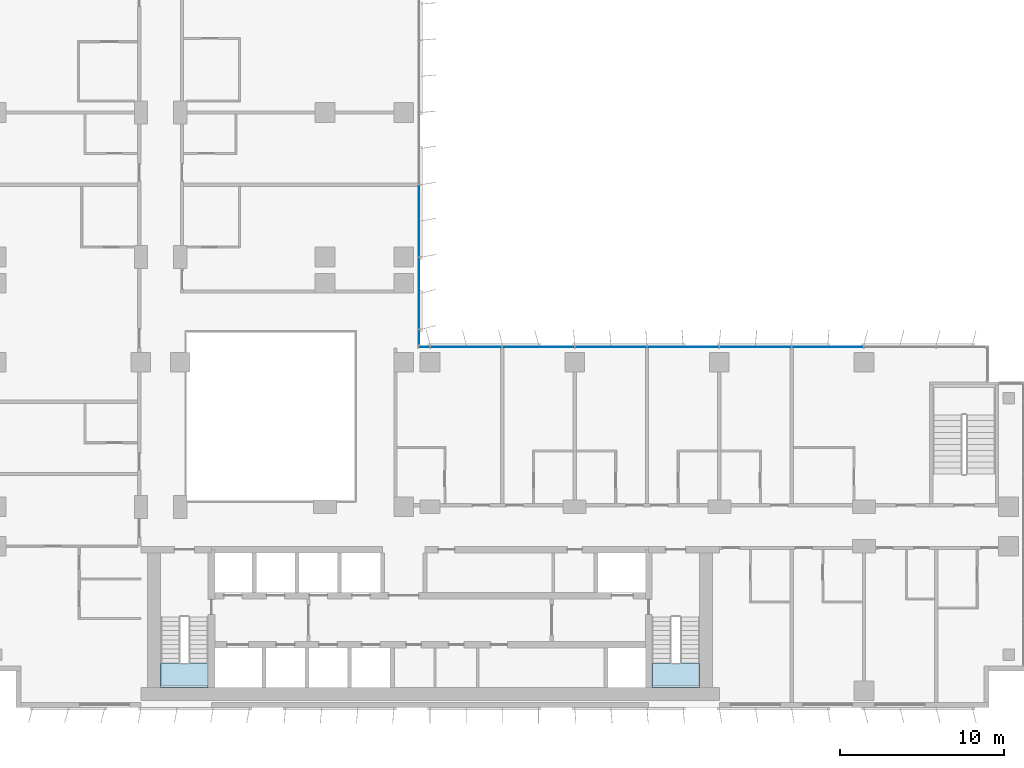
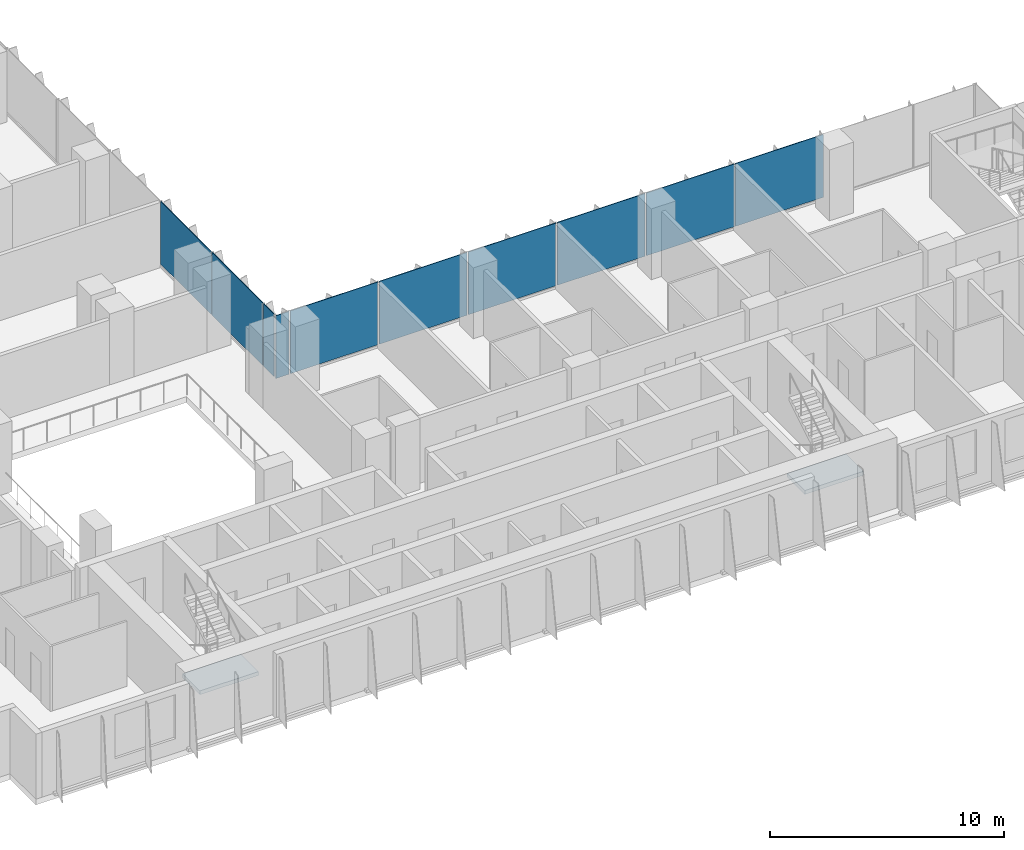
# One storey, part 10 of 23: 10 plates, 2 slabs, 4 elements without a shape of their own.
"""IFC4 building model written with IfcOpenShell, lengths in metres."""

from ifc_helpers import new_model, si_unit, direction, frame, origin, origin_2d, place, context, subcontext, project, spatial, polyline, rectangle, outline, extrude, source, transform, mapped, material, layer, layer_set, type_object, element, aggregate, save


model = new_model("IFC4")

# Units and contexts
model_context = context("Model", 3, precision=1e-05, world=origin(), true_north=direction((0.0, 1.0)))
body_context = subcontext(model_context, "Body", "Model", "MODEL_VIEW")
ifc_project = project(units=[si_unit("LENGTHUNIT", "METRE"), si_unit("AREAUNIT", "SQUARE_METRE"), si_unit("VOLUMEUNIT", "CUBIC_METRE"), si_unit("PLANEANGLEUNIT", "RADIAN"), si_unit("MASSUNIT", "GRAM", prefix="KILO")], contexts=[model_context])

# Site, building, storey
site_placement = place(None, origin())
site = spatial("IfcSite", under=ifc_project, at=site_placement, CompositionType="ELEMENT")
building_placement = place(site_placement, origin())
building = spatial("IfcBuilding", under=site, at=building_placement, Name="Kemantara Hotel Tower", CompositionType="ELEMENT")
storey_placement = place(building_placement, frame((0.0, 0.0, 118.5)))
storey = spatial("IfcBuildingStorey", under=building, at=storey_placement, Name="L28", CompositionType="ELEMENT", Elevation=118.5)

# Stair, slab
ifc_material_1 = material(Name="Concrete fc 40 MPa", Category="concrete")
stair_type = type_object("IfcStairType", Name="Stair 1200 wide 22 risers of 168 x 280 mm", PredefinedType="HALF_TURN_STAIR", material=ifc_material_1)
stair_1_placement = place(storey_placement, origin())
stair_1 = element("IfcStair", 1, at=stair_1_placement, inside=storey, type_object=stair_type, Name="L28 Exit stair ST1", PredefinedType="HALF_TURN_STAIR")
ifc_layer_1 = layer(ifc_material_1, 0.199951171875)
ifc_layer_set_1 = layer_set([ifc_layer_1], Name="Concrete fc 40 MPa")
slab_type = type_object("IfcSlabType", Name="Stair landing 200 mm", PredefinedType="LANDING", material=ifc_layer_set_1)
slab_1_placement = place(storey_placement, frame((0.0, 0.0, 1.64990234375)))
slab_1 = element("IfcSlab", 2, at=slab_1_placement, type_object=slab_type, Name="ST1 landing 1", PredefinedType="LANDING", context=body_context, shape_type="SweptSolid", body=[
    extrude(outline(polyline([(11.0, 2.699951171875), (11.0, 1.199951171875), (13.89990234375, 1.199951171875), (13.89990234375, 2.699951171875), (11.0, 2.699951171875)])), origin(), (0.0, 0.0, 1.0), 0.2001953125),
])
aggregate(stair_1, [slab_1])

stair_2_placement = place(storey_placement, origin())
stair_2 = element("IfcStair", 3, at=stair_2_placement, inside=storey, type_object=stair_type, Name="L28 Exit stair ST2", PredefinedType="HALF_TURN_STAIR")
slab_2_placement = place(storey_placement, frame((0.0, 0.0, 1.64990234375)))
slab_2 = element("IfcSlab", 4, at=slab_2_placement, type_object=slab_type, Name="ST2 landing 1", PredefinedType="LANDING", context=body_context, shape_type="SweptSolid", body=[
    extrude(outline(polyline([(40.89990234375, 2.699951171875), (40.89990234375, 1.199951171875), (43.800048828125, 1.199951171875), (43.800048828125, 2.699951171875), (40.89990234375, 2.699951171875)])), origin(), (0.0, 0.0, 1.0), 0.2001953125),
])
aggregate(stair_2, [slab_2])

# Curtain wall, plates
ifc_material_2 = material(Name="Low-E tinted double insulated glass 36 mm", Category="glass")
curtain_wall_type = type_object("IfcCurtainWallType", Name="TOWER CURTAIN WALL, FRONT FACES", PredefinedType="USERDEFINED", material=ifc_material_2)
curtain_wall_1_placement = place(storey_placement, origin())
curtain_wall_1 = element("IfcCurtainWall", 5, at=curtain_wall_1_placement, inside=storey, type_object=curtain_wall_type, Name="CW4 L28 T2-R13-1", ObjectType="TOWER CURTAIN WALL, FRONT FACES", PredefinedType="USERDEFINED")
ifc_layer_2 = layer(ifc_material_2, 0.035888671875)
ifc_layer_set_2 = layer_set([ifc_layer_2], Name="Low-E tinted double insulated glass 36 mm")
plate_type = type_object("IfcPlateType", Name="TOWER CURTAIN WALL, FRONT FACES PANEL", PredefinedType="CURTAIN_PANEL", material=ifc_layer_set_2)
shared_shape_1 = source(origin(), body_context, "Body", "SweptSolid", [
    extrude(rectangle(XDim=4.340087890625, YDim=0.035888671875, at=origin_2d()), origin(), (0.0, 0.0, 1.0), 3.280029296875),
])
plate_1_placement = place(storey_placement, frame((51.60009765625, 21.925048828125, 0.1201171875), z_axis=(0.0, 0.0, 1.0), x_axis=(-1.0, 0.0, 0.0)))
plate_1 = element("IfcPlate", 6, at=plate_1_placement, type_object=plate_type, Name="CW4 glass panel T2-R13-1.3", PredefinedType="CURTAIN_PANEL", context=body_context, shape_type="MappedRepresentation", body=[
    mapped(shared_shape_1, transform((0.0, 0.0, 0.0))),
])
plate_2_placement = place(storey_placement, frame((47.199951171875, 21.925048828125, 0.1201171875), z_axis=(0.0, 0.0, 1.0), x_axis=(-1.0, 0.0, 0.0)))
plate_2 = element("IfcPlate", 7, at=plate_2_placement, type_object=plate_type, Name="CW4 glass panel T2-R13-1.4", PredefinedType="CURTAIN_PANEL", context=body_context, shape_type="MappedRepresentation", body=[
    mapped(shared_shape_1, transform((0.0, 0.0, 0.0))),
])
plate_3_placement = place(storey_placement, frame((42.800048828125, 21.925048828125, 0.1201171875), z_axis=(0.0, 0.0, 1.0), x_axis=(-1.0, 0.0, 0.0)))
plate_3 = element("IfcPlate", 8, at=plate_3_placement, type_object=plate_type, Name="CW4 glass panel T2-R13-1.5", PredefinedType="CURTAIN_PANEL", context=body_context, shape_type="MappedRepresentation", body=[
    mapped(shared_shape_1, transform((0.0, 0.0, 0.0))),
])
plate_4_placement = place(storey_placement, frame((38.39990234375, 21.925048828125, 0.1201171875), z_axis=(0.0, 0.0, 1.0), x_axis=(-1.0, 0.0, 0.0)))
plate_4 = element("IfcPlate", 9, at=plate_4_placement, type_object=plate_type, Name="CW4 glass panel T2-R13-1.6", PredefinedType="CURTAIN_PANEL", context=body_context, shape_type="MappedRepresentation", body=[
    mapped(shared_shape_1, transform((0.0, 0.0, 0.0))),
])
plate_5_placement = place(storey_placement, frame((34.0, 21.925048828125, 0.1201171875), z_axis=(0.0, 0.0, 1.0), x_axis=(-1.0, 0.0, 0.0)))
plate_5 = element("IfcPlate", 10, at=plate_5_placement, type_object=plate_type, Name="CW4 glass panel T2-R13-1.7", PredefinedType="CURTAIN_PANEL", context=body_context, shape_type="MappedRepresentation", body=[
    mapped(shared_shape_1, transform((0.0, 0.0, 0.0))),
])
plate_6_placement = place(storey_placement, frame((29.60009765625, 21.925048828125, 0.1201171875), z_axis=(0.0, 0.0, 1.0), x_axis=(-1.0, 0.0, 0.0)))
plate_6 = element("IfcPlate", 11, at=plate_6_placement, type_object=plate_type, Name="CW4 glass panel T2-R13-1.8", PredefinedType="CURTAIN_PANEL", context=body_context, shape_type="MappedRepresentation", body=[
    mapped(shared_shape_1, transform((0.0, 0.0, 0.0))),
])

curtain_wall_2_placement = place(storey_placement, origin())
curtain_wall_2 = element("IfcCurtainWall", 12, at=curtain_wall_2_placement, inside=storey, type_object=curtain_wall_type, Name="CW4 L28 T2-R14-1", ObjectType="TOWER CURTAIN WALL, FRONT FACES", PredefinedType="USERDEFINED")
plate_7_placement = place(storey_placement, frame((26.72509765625, 25.199951171875, 0.1201171875), z_axis=(0.0, 0.0, 1.0), x_axis=(0.0, 1.0, 0.0)))
plate_7 = element("IfcPlate", 13, at=plate_7_placement, type_object=plate_type, Name="CW4 glass panel T2-R14-1.2", PredefinedType="CURTAIN_PANEL", context=body_context, shape_type="MappedRepresentation", body=[
    mapped(shared_shape_1, transform((0.0, 0.0, 0.0))),
])
plate_8_placement = place(storey_placement, frame((26.72509765625, 29.60009765625, 0.1201171875), z_axis=(0.0, 0.0, 1.0), x_axis=(0.0, 1.0, 0.0)))
plate_8 = element("IfcPlate", 14, at=plate_8_placement, type_object=plate_type, Name="CW4 glass panel T2-R14-1.3", PredefinedType="CURTAIN_PANEL", context=body_context, shape_type="MappedRepresentation", body=[
    mapped(shared_shape_1, transform((0.0, 0.0, 0.0))),
])

# Plate
shared_shape_2 = source(origin(), body_context, "Body", "SweptSolid", [
    extrude(rectangle(XDim=0.659912109375, YDim=0.035888671875, at=origin_2d()), origin(), (0.0, 0.0, 1.0), 3.280029296875),
])
plate_9_placement = place(storey_placement, frame((27.0400390625, 21.925048828125, 0.1201171875), z_axis=(0.0, 0.0, 1.0), x_axis=(-1.0, 0.0, 0.0)))
plate_9 = element("IfcPlate", 15, at=plate_9_placement, type_object=plate_type, Name="CW4 glass panel T2-R13-1.9", PredefinedType="CURTAIN_PANEL", context=body_context, shape_type="MappedRepresentation", body=[
    mapped(shared_shape_2, transform((0.0, 0.0, 0.0))),
])

aggregate(curtain_wall_1, [plate_1, plate_2, plate_3, plate_4, plate_5, plate_6, plate_9])

shared_shape_3 = source(origin(), body_context, "Body", "SweptSolid", [
    extrude(rectangle(XDim=0.909912109375, YDim=0.035888671875, at=origin_2d()), origin(), (0.0, 0.0, 1.0), 3.280029296875),
])
plate_10_placement = place(storey_placement, frame((26.72509765625, 22.514892578125, 0.1201171875), z_axis=(0.0, 0.0, 1.0), x_axis=(0.0, 1.0, 0.0)))
plate_10 = element("IfcPlate", 16, at=plate_10_placement, type_object=plate_type, Name="CW4 glass panel T2-R14-1.1", PredefinedType="CURTAIN_PANEL", context=body_context, shape_type="MappedRepresentation", body=[
    mapped(shared_shape_3, transform((0.0, 0.0, 0.0))),
])

aggregate(curtain_wall_2, [plate_10, plate_7, plate_8])

save(model, "model.ifc")
